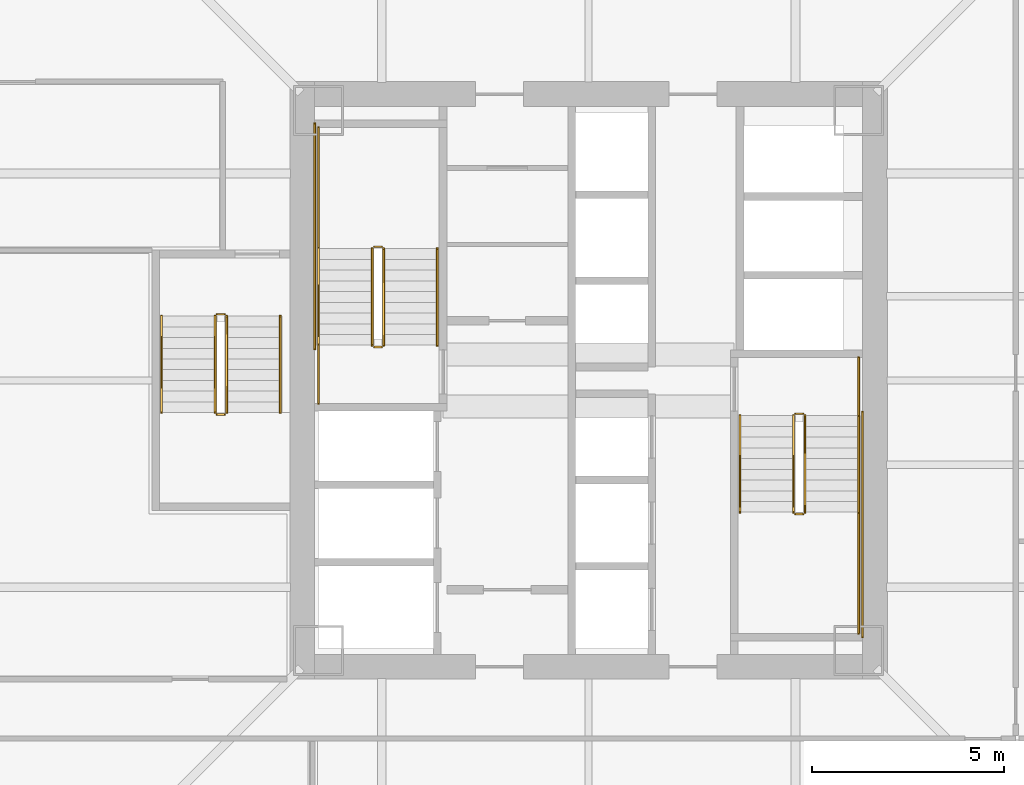
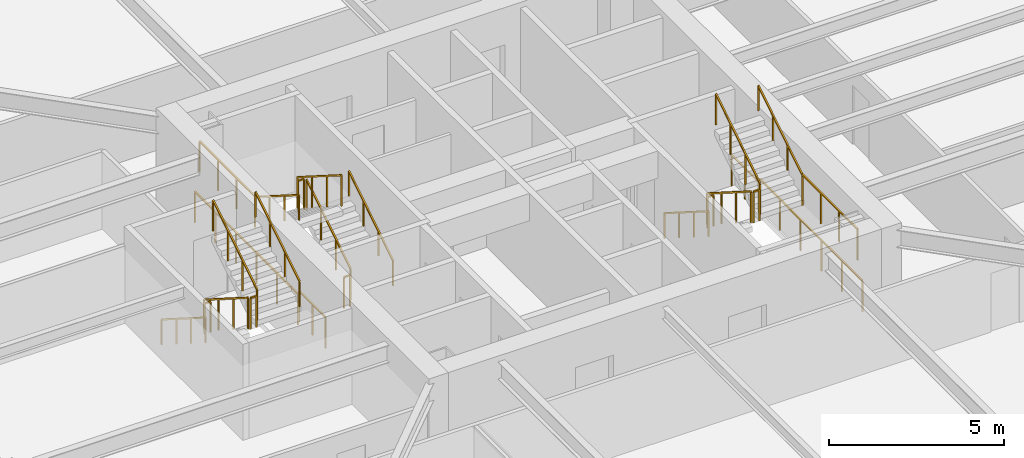
# One storey, part 41 of 46: 24 railings.
"""IFC4 building model written with IfcOpenShell, lengths in metres."""

from ifc_helpers import new_model, si_unit, direction, frame, origin, origin_2d, place, context, subcontext, project, spatial, rectangle, extrude, material, type_object, element, save


model = new_model("IFC4")

# Units and contexts
model_context = context("Model", 3, precision=1e-05, world=origin(), true_north=direction((0.0, 1.0)))
body_context = subcontext(model_context, "Body", "Model", "MODEL_VIEW")
ifc_project = project(units=[si_unit("LENGTHUNIT", "METRE"), si_unit("AREAUNIT", "SQUARE_METRE"), si_unit("VOLUMEUNIT", "CUBIC_METRE"), si_unit("PLANEANGLEUNIT", "RADIAN"), si_unit("MASSUNIT", "GRAM", prefix="KILO")], contexts=[model_context])

# Site, building, storey
site_placement = place(None, origin())
site = spatial("IfcSite", under=ifc_project, at=site_placement, CompositionType="ELEMENT")
building_placement = place(site_placement, origin())
building = spatial("IfcBuilding", under=site, at=building_placement, Name="Tashvorn Skyway Center", CompositionType="ELEMENT")
storey_placement = place(building_placement, frame((0.0, 0.0, 99.14990234375)))
storey = spatial("IfcBuildingStorey", under=building, at=storey_placement, Name="L26", CompositionType="ELEMENT", Elevation=99.14990234375)

# Railings
ifc_material_1 = material(Name="Brushed stainless steel 316", Category="steel")
railing_type_1 = type_object("IfcRailingType", Name="RAIL-HAND-920", PredefinedType="HANDRAIL", material=ifc_material_1)
railing_1_placement = place(storey_placement, frame((38.050048828125, 32.919921875, 0.177490234375)))
element("IfcRailing", 1, at=railing_1_placement, inside=storey, type_object=railing_type_1, Name="L26 ST-T1-1 stair handrail 1", PredefinedType="HANDRAIL", context=body_context, shape_type="SweptSolid", body=[
    extrude(rectangle(XDim=0.048095703125, YDim=0.048095703125, at=origin_2d()), frame((0.0, 0.0, 0.8759765625), z_axis=(0.0, 0.84456994832, 0.535445237532), x_axis=(-1.0, 0.0, 0.0)), (0.0, 0.0, 1.0), 2.98388671875),
    extrude(rectangle(XDim=0.0419921875, YDim=0.0419921875, at=origin_2d()), origin(), (0.0, 0.0, 1.0), 0.851806640625),
    extrude(rectangle(XDim=0.0419921875, YDim=0.0419921875, at=origin_2d()), frame((0.0, 0.840087890625, 0.532470703125)), (0.0, 0.0, 1.0), 0.851806640625),
    extrude(rectangle(XDim=0.0419921875, YDim=0.0419921875, at=origin_2d()), frame((0.0, 1.679931640625, 1.065185546875)), (0.0, 0.0, 1.0), 0.851806640625),
    extrude(rectangle(XDim=0.0419921875, YDim=0.0419921875, at=origin_2d()), frame((0.0, 2.52001953125, 1.59765625)), (0.0, 0.0, 1.0), 0.851806640625),
])
railing_2_placement = place(storey_placement, frame((34.949951171875, 35.43994140625, 1.95263671875)))
element("IfcRailing", 2, at=railing_2_placement, inside=storey, type_object=railing_type_1, Name="L26 ST-T1-1 stair handrail 2", PredefinedType="HANDRAIL", context=body_context, shape_type="SweptSolid", body=[
    extrude(rectangle(XDim=0.048095703125, YDim=0.048095703125, at=origin_2d()), frame((0.0, 0.0, 0.8759765625), z_axis=(0.0, -0.84460694969, 0.535386869969), x_axis=(1.0, 0.0, 0.0)), (0.0, 0.0, 1.0), 2.983642578125),
    extrude(rectangle(XDim=0.0419921875, YDim=0.0419921875, at=origin_2d()), origin(), (0.0, 0.0, 1.0), 0.851806640625),
    extrude(rectangle(XDim=0.0419921875, YDim=0.0419921875, at=origin_2d()), frame((0.0, -0.840087890625, 0.532470703125)), (0.0, 0.0, 1.0), 0.851806640625),
    extrude(rectangle(XDim=0.0419921875, YDim=0.0419921875, at=origin_2d()), frame((0.0, -1.679931640625, 1.06494140625)), (0.0, 0.0, 1.0), 0.851806640625),
    extrude(rectangle(XDim=0.0419921875, YDim=0.0419921875, at=origin_2d()), frame((0.0, -2.52001953125, 1.597412109375)), (0.0, 0.0, 1.0), 0.851806640625),
])
railing_3_placement = place(storey_placement, frame((45.949951171875, 31.080078125, 0.177490234375)))
element("IfcRailing", 3, at=railing_3_placement, inside=storey, type_object=railing_type_1, Name="L26 ST-T1-2 stair handrail 1", PredefinedType="HANDRAIL", context=body_context, shape_type="SweptSolid", body=[
    extrude(rectangle(XDim=0.048095703125, YDim=0.048095703125, at=origin_2d()), frame((0.0, 0.0, 0.8759765625), z_axis=(0.0, -0.84456994832, 0.535445237532), x_axis=(1.0, 0.0, 0.0)), (0.0, 0.0, 1.0), 2.98388671875),
    extrude(rectangle(XDim=0.0419921875, YDim=0.0419921875, at=origin_2d()), origin(), (0.0, 0.0, 1.0), 0.851806640625),
    extrude(rectangle(XDim=0.0419921875, YDim=0.0419921875, at=origin_2d()), frame((0.0, -0.840087890625, 0.532470703125)), (0.0, 0.0, 1.0), 0.851806640625),
    extrude(rectangle(XDim=0.0419921875, YDim=0.0419921875, at=origin_2d()), frame((0.0, -1.679931640625, 1.065185546875)), (0.0, 0.0, 1.0), 0.851806640625),
    extrude(rectangle(XDim=0.0419921875, YDim=0.0419921875, at=origin_2d()), frame((0.0, -2.52001953125, 1.59765625)), (0.0, 0.0, 1.0), 0.851806640625),
])
railing_4_placement = place(storey_placement, frame((49.050048828125, 28.56005859375, 1.95263671875)))
element("IfcRailing", 4, at=railing_4_placement, inside=storey, type_object=railing_type_1, Name="L26 ST-T1-2 stair handrail 2", PredefinedType="HANDRAIL", context=body_context, shape_type="SweptSolid", body=[
    extrude(rectangle(XDim=0.048095703125, YDim=0.048095703125, at=origin_2d()), frame((0.0, 0.0, 0.8759765625), z_axis=(0.0, 0.84460694969, 0.535386869969), x_axis=(-1.0, 0.0, 0.0)), (0.0, 0.0, 1.0), 2.983642578125),
    extrude(rectangle(XDim=0.0419921875, YDim=0.0419921875, at=origin_2d()), origin(), (0.0, 0.0, 1.0), 0.851806640625),
    extrude(rectangle(XDim=0.0419921875, YDim=0.0419921875, at=origin_2d()), frame((0.0, 0.840087890625, 0.532470703125)), (0.0, 0.0, 1.0), 0.851806640625),
    extrude(rectangle(XDim=0.0419921875, YDim=0.0419921875, at=origin_2d()), frame((0.0, 1.679931640625, 1.06494140625)), (0.0, 0.0, 1.0), 0.851806640625),
    extrude(rectangle(XDim=0.0419921875, YDim=0.0419921875, at=origin_2d()), frame((0.0, 2.52001953125, 1.597412109375)), (0.0, 0.0, 1.0), 0.851806640625),
])
railing_5_placement = place(storey_placement, frame((30.85009765625, 33.679931640625, 0.177490234375)))
element("IfcRailing", 5, at=railing_5_placement, inside=storey, type_object=railing_type_1, Name="L26 ST-T1-3 stair handrail 1", PredefinedType="HANDRAIL", context=body_context, shape_type="SweptSolid", body=[
    extrude(rectangle(XDim=0.048095703125, YDim=0.048095703125, at=origin_2d()), frame((0.0, 0.0, 0.8759765625), z_axis=(0.0, -0.84456994832, 0.535445237532), x_axis=(1.0, 0.0, 0.0)), (0.0, 0.0, 1.0), 2.98388671875),
    extrude(rectangle(XDim=0.0419921875, YDim=0.0419921875, at=origin_2d()), origin(), (0.0, 0.0, 1.0), 0.851806640625),
    extrude(rectangle(XDim=0.0419921875, YDim=0.0419921875, at=origin_2d()), frame((0.0, -0.840087890625, 0.532470703125)), (0.0, 0.0, 1.0), 0.851806640625),
    extrude(rectangle(XDim=0.0419921875, YDim=0.0419921875, at=origin_2d()), frame((0.0, -1.679931640625, 1.065185546875)), (0.0, 0.0, 1.0), 0.851806640625),
    extrude(rectangle(XDim=0.0419921875, YDim=0.0419921875, at=origin_2d()), frame((0.0, -2.52001953125, 1.59765625)), (0.0, 0.0, 1.0), 0.851806640625),
])
railing_6_placement = place(storey_placement, frame((33.949951171875, 31.159912109375, 1.95263671875)))
element("IfcRailing", 6, at=railing_6_placement, inside=storey, type_object=railing_type_1, Name="L26 ST-T1-3 stair handrail 2", PredefinedType="HANDRAIL", context=body_context, shape_type="SweptSolid", body=[
    extrude(rectangle(XDim=0.048095703125, YDim=0.048095703125, at=origin_2d()), frame((0.0, 0.0, 0.8759765625), z_axis=(0.0, 0.84460694969, 0.535386869969), x_axis=(-1.0, 0.0, 0.0)), (0.0, 0.0, 1.0), 2.983642578125),
    extrude(rectangle(XDim=0.0419921875, YDim=0.0419921875, at=origin_2d()), origin(), (0.0, 0.0, 1.0), 0.851806640625),
    extrude(rectangle(XDim=0.0419921875, YDim=0.0419921875, at=origin_2d()), frame((0.0, 0.840087890625, 0.532470703125)), (0.0, 0.0, 1.0), 0.851806640625),
    extrude(rectangle(XDim=0.0419921875, YDim=0.0419921875, at=origin_2d()), frame((0.0, 1.679931640625, 1.06494140625)), (0.0, 0.0, 1.0), 0.851806640625),
    extrude(rectangle(XDim=0.0419921875, YDim=0.0419921875, at=origin_2d()), frame((0.0, 2.52001953125, 1.597412109375)), (0.0, 0.0, 1.0), 0.851806640625),
])
ifc_material_2 = material(Name="Painted galvanized steel S355", Category="steel")
railing_type_2 = type_object("IfcRailingType", Name="RAIL-STGUARD-1100", PredefinedType="GUARDRAIL", material=ifc_material_2)
railing_7_placement = place(storey_placement, frame((36.64990234375, 32.919921875, 0.177490234375)))
element("IfcRailing", 7, at=railing_7_placement, inside=storey, type_object=railing_type_2, Name="L26 ST-T1-1 stair guard 1", PredefinedType="GUARDRAIL", context=body_context, shape_type="SweptSolid", body=[
    extrude(rectangle(XDim=0.048095703125, YDim=0.048095703125, at=origin_2d()), frame((0.0, 0.0, 1.076171875), z_axis=(0.0, 0.84456994832, 0.535445237532), x_axis=(-1.0, 0.0, 0.0)), (0.0, 0.0, 1.0), 2.98388671875),
    extrude(rectangle(XDim=0.0419921875, YDim=0.0419921875, at=origin_2d()), origin(), (0.0, 0.0, 1.0), 1.052001953125),
    extrude(rectangle(XDim=0.0419921875, YDim=0.0419921875, at=origin_2d()), frame((0.0, 0.840087890625, 0.532470703125)), (0.0, 0.0, 1.0), 1.052001953125),
    extrude(rectangle(XDim=0.0419921875, YDim=0.0419921875, at=origin_2d()), frame((0.0, 1.679931640625, 1.065185546875)), (0.0, 0.0, 1.0), 1.052001953125),
    extrude(rectangle(XDim=0.0419921875, YDim=0.0419921875, at=origin_2d()), frame((0.0, 2.52001953125, 1.59765625)), (0.0, 0.0, 1.0), 1.052001953125),
])
railing_8_placement = place(storey_placement, frame((36.60009765625, 35.489990234375, 1.775146484375)))
element("IfcRailing", 8, at=railing_8_placement, inside=storey, type_object=railing_type_2, Name="L26 ST-T1-1 stair guard 2", PredefinedType="GUARDRAIL", context=body_context, shape_type="SweptSolid", body=[
    extrude(rectangle(XDim=0.048095703125, YDim=0.048095703125, at=origin_2d()), frame((0.0, 0.0, 1.076171875), z_axis=(-1.0, 0.0, 0.0), x_axis=(0.0, -1.0, 0.0)), (0.0, 0.0, 1.0), 0.2001953125),
    extrude(rectangle(XDim=0.0419921875, YDim=0.0419921875, at=origin_2d()), origin(), (0.0, 0.0, 1.0), 1.052001953125),
    extrude(rectangle(XDim=0.0419921875, YDim=0.0419921875, at=origin_2d()), frame((-0.2001953125, 0.0, 0.0)), (0.0, 0.0, 1.0), 1.052001953125),
])
railing_9_placement = place(storey_placement, frame((34.949951171875, 35.43994140625, 1.775146484375)))
element("IfcRailing", 9, at=railing_9_placement, inside=storey, type_object=railing_type_2, Name="L26 ST-T1-1 stair guard 3", PredefinedType="GUARDRAIL", context=body_context, shape_type="SweptSolid", body=[
    extrude(rectangle(XDim=0.048095703125, YDim=0.048095703125, at=origin_2d()), frame((0.0, 0.0, 1.076171875), z_axis=(0.0, 1.0, 0.0), x_axis=(-1.0, 0.0, 0.0)), (0.0, 0.0, 1.0), 3.16015625),
    extrude(rectangle(XDim=0.0419921875, YDim=0.0419921875, at=origin_2d()), origin(), (0.0, 0.0, 1.0), 1.052001953125),
    extrude(rectangle(XDim=0.0419921875, YDim=0.0419921875, at=origin_2d()), frame((0.0, 1.053466796875, 0.0)), (0.0, 0.0, 1.0), 1.052001953125),
    extrude(rectangle(XDim=0.0419921875, YDim=0.0419921875, at=origin_2d()), frame((0.0, 2.106689453125, 0.0)), (0.0, 0.0, 1.0), 1.052001953125),
    extrude(rectangle(XDim=0.0419921875, YDim=0.0419921875, at=origin_2d()), frame((0.0, 3.16015625, 0.0)), (0.0, 0.0, 1.0), 1.052001953125),
])
railing_10_placement = place(storey_placement, frame((36.35009765625, 35.43994140625, 1.95263671875)))
element("IfcRailing", 10, at=railing_10_placement, inside=storey, type_object=railing_type_2, Name="L26 ST-T1-1 stair guard 4", PredefinedType="GUARDRAIL", context=body_context, shape_type="SweptSolid", body=[
    extrude(rectangle(XDim=0.048095703125, YDim=0.048095703125, at=origin_2d()), frame((0.0, 0.0, 1.076171875), z_axis=(0.0, -0.84460694969, 0.535386869969), x_axis=(1.0, 0.0, 0.0)), (0.0, 0.0, 1.0), 2.983642578125),
    extrude(rectangle(XDim=0.0419921875, YDim=0.0419921875, at=origin_2d()), origin(), (0.0, 0.0, 1.0), 1.052001953125),
    extrude(rectangle(XDim=0.0419921875, YDim=0.0419921875, at=origin_2d()), frame((0.0, -0.840087890625, 0.532470703125)), (0.0, 0.0, 1.0), 1.052001953125),
    extrude(rectangle(XDim=0.0419921875, YDim=0.0419921875, at=origin_2d()), frame((0.0, -1.679931640625, 1.06494140625)), (0.0, 0.0, 1.0), 1.052001953125),
    extrude(rectangle(XDim=0.0419921875, YDim=0.0419921875, at=origin_2d()), frame((0.0, -2.52001953125, 1.597412109375)), (0.0, 0.0, 1.0), 1.052001953125),
])
railing_11_placement = place(storey_placement, frame((36.60009765625, 32.8701171875, 0.0)))
element("IfcRailing", 11, at=railing_11_placement, inside=storey, type_object=railing_type_2, Name="L26 ST-T1-1 stair guard 5", PredefinedType="GUARDRAIL", context=body_context, shape_type="SweptSolid", body=[
    extrude(rectangle(XDim=0.048095703125, YDim=0.048095703125, at=origin_2d()), frame((0.0, 0.0, 1.076171875), z_axis=(-1.0, 0.0, 0.0), x_axis=(0.0, -1.0, 0.0)), (0.0, 0.0, 1.0), 0.2001953125),
    extrude(rectangle(XDim=0.0419921875, YDim=0.0419921875, at=origin_2d()), origin(), (0.0, 0.0, 1.0), 1.052001953125),
    extrude(rectangle(XDim=0.0419921875, YDim=0.0419921875, at=origin_2d()), frame((-0.2001953125, 0.0, 0.0)), (0.0, 0.0, 1.0), 1.052001953125),
])
railing_12_placement = place(storey_placement, frame((34.949951171875, 31.39990234375, 0.0)))
element("IfcRailing", 12, at=railing_12_placement, inside=storey, type_object=railing_type_2, Name="L26 ST-T1-1 stair guard 6", PredefinedType="GUARDRAIL", context=body_context, shape_type="SweptSolid", body=[
    extrude(rectangle(XDim=0.048095703125, YDim=0.048095703125, at=origin_2d()), frame((0.0, 0.0, 1.076171875), z_axis=(0.0, 1.0, 0.0), x_axis=(-1.0, 0.0, 0.0)), (0.0, 0.0, 1.0), 1.52001953125),
    extrude(rectangle(XDim=0.0419921875, YDim=0.0419921875, at=origin_2d()), origin(), (0.0, 0.0, 1.0), 1.052001953125),
    extrude(rectangle(XDim=0.0419921875, YDim=0.0419921875, at=origin_2d()), frame((0.0, 0.760009765625, 0.0)), (0.0, 0.0, 1.0), 1.052001953125),
    extrude(rectangle(XDim=0.0419921875, YDim=0.0419921875, at=origin_2d()), frame((0.0, 1.52001953125, 0.0)), (0.0, 0.0, 1.0), 1.052001953125),
])
railing_13_placement = place(storey_placement, frame((34.85009765625, 32.820068359375, 0.0)))
element("IfcRailing", 13, at=railing_13_placement, inside=storey, type_object=railing_type_2, Name="L26 ST-T1-1 stair guard 7", PredefinedType="GUARDRAIL", context=body_context, shape_type="SweptSolid", body=[
    extrude(rectangle(XDim=0.048095703125, YDim=0.048095703125, at=origin_2d()), frame((0.0, 0.0, 1.076171875), z_axis=(0.0, 1.0, 0.0), x_axis=(-1.0, 0.0, 0.0)), (0.0, 0.0, 1.0), 5.8798828125),
    extrude(rectangle(XDim=0.0419921875, YDim=0.0419921875, at=origin_2d()), origin(), (0.0, 0.0, 1.0), 1.052001953125),
    extrude(rectangle(XDim=0.0419921875, YDim=0.0419921875, at=origin_2d()), frame((0.0, 1.176025390625, 0.0)), (0.0, 0.0, 1.0), 1.052001953125),
    extrude(rectangle(XDim=0.0419921875, YDim=0.0419921875, at=origin_2d()), frame((0.0, 2.35205078125, 0.0)), (0.0, 0.0, 1.0), 1.052001953125),
    extrude(rectangle(XDim=0.0419921875, YDim=0.0419921875, at=origin_2d()), frame((0.0, 3.52783203125, 0.0)), (0.0, 0.0, 1.0), 1.052001953125),
    extrude(rectangle(XDim=0.0419921875, YDim=0.0419921875, at=origin_2d()), frame((0.0, 4.703857421875, 0.0)), (0.0, 0.0, 1.0), 1.052001953125),
    extrude(rectangle(XDim=0.0419921875, YDim=0.0419921875, at=origin_2d()), frame((0.0, 5.8798828125, 0.0)), (0.0, 0.0, 1.0), 1.052001953125),
])
railing_14_placement = place(storey_placement, frame((47.35009765625, 31.080078125, 0.177490234375)))
element("IfcRailing", 14, at=railing_14_placement, inside=storey, type_object=railing_type_2, Name="L26 ST-T1-2 stair guard 1", PredefinedType="GUARDRAIL", context=body_context, shape_type="SweptSolid", body=[
    extrude(rectangle(XDim=0.048095703125, YDim=0.048095703125, at=origin_2d()), frame((0.0, 0.0, 1.076171875), z_axis=(0.0, -0.84456994832, 0.535445237532), x_axis=(1.0, 0.0, 0.0)), (0.0, 0.0, 1.0), 2.98388671875),
    extrude(rectangle(XDim=0.0419921875, YDim=0.0419921875, at=origin_2d()), origin(), (0.0, 0.0, 1.0), 1.052001953125),
    extrude(rectangle(XDim=0.0419921875, YDim=0.0419921875, at=origin_2d()), frame((0.0, -0.840087890625, 0.532470703125)), (0.0, 0.0, 1.0), 1.052001953125),
    extrude(rectangle(XDim=0.0419921875, YDim=0.0419921875, at=origin_2d()), frame((0.0, -1.679931640625, 1.065185546875)), (0.0, 0.0, 1.0), 1.052001953125),
    extrude(rectangle(XDim=0.0419921875, YDim=0.0419921875, at=origin_2d()), frame((0.0, -2.52001953125, 1.59765625)), (0.0, 0.0, 1.0), 1.052001953125),
])
railing_15_placement = place(storey_placement, frame((47.39990234375, 28.510009765625, 1.775146484375)))
element("IfcRailing", 15, at=railing_15_placement, inside=storey, type_object=railing_type_2, Name="L26 ST-T1-2 stair guard 2", PredefinedType="GUARDRAIL", context=body_context, shape_type="SweptSolid", body=[
    extrude(rectangle(XDim=0.048095703125, YDim=0.048095703125, at=origin_2d()), frame((0.0, 0.0, 1.076171875), z_axis=(1.0, 0.0, 0.0), x_axis=(0.0, 1.0, 0.0)), (0.0, 0.0, 1.0), 0.2001953125),
    extrude(rectangle(XDim=0.0419921875, YDim=0.0419921875, at=origin_2d()), origin(), (0.0, 0.0, 1.0), 1.052001953125),
    extrude(rectangle(XDim=0.0419921875, YDim=0.0419921875, at=origin_2d()), frame((0.2001953125, 0.0, 0.0)), (0.0, 0.0, 1.0), 1.052001953125),
])
railing_16_placement = place(storey_placement, frame((49.050048828125, 28.56005859375, 1.775146484375)))
element("IfcRailing", 16, at=railing_16_placement, inside=storey, type_object=railing_type_2, Name="L26 ST-T1-2 stair guard 3", PredefinedType="GUARDRAIL", context=body_context, shape_type="SweptSolid", body=[
    extrude(rectangle(XDim=0.048095703125, YDim=0.048095703125, at=origin_2d()), frame((0.0, 0.0, 1.076171875), z_axis=(0.0, -1.0, 0.0), x_axis=(1.0, 0.0, 0.0)), (0.0, 0.0, 1.0), 3.16015625),
    extrude(rectangle(XDim=0.0419921875, YDim=0.0419921875, at=origin_2d()), origin(), (0.0, 0.0, 1.0), 1.052001953125),
    extrude(rectangle(XDim=0.0419921875, YDim=0.0419921875, at=origin_2d()), frame((0.0, -1.053466796875, 0.0)), (0.0, 0.0, 1.0), 1.052001953125),
    extrude(rectangle(XDim=0.0419921875, YDim=0.0419921875, at=origin_2d()), frame((0.0, -2.106689453125, 0.0)), (0.0, 0.0, 1.0), 1.052001953125),
    extrude(rectangle(XDim=0.0419921875, YDim=0.0419921875, at=origin_2d()), frame((0.0, -3.16015625, 0.0)), (0.0, 0.0, 1.0), 1.052001953125),
])
railing_17_placement = place(storey_placement, frame((47.64990234375, 28.56005859375, 1.95263671875)))
element("IfcRailing", 17, at=railing_17_placement, inside=storey, type_object=railing_type_2, Name="L26 ST-T1-2 stair guard 4", PredefinedType="GUARDRAIL", context=body_context, shape_type="SweptSolid", body=[
    extrude(rectangle(XDim=0.048095703125, YDim=0.048095703125, at=origin_2d()), frame((0.0, 0.0, 1.076171875), z_axis=(0.0, 0.84460694969, 0.535386869969), x_axis=(-1.0, 0.0, 0.0)), (0.0, 0.0, 1.0), 2.983642578125),
    extrude(rectangle(XDim=0.0419921875, YDim=0.0419921875, at=origin_2d()), origin(), (0.0, 0.0, 1.0), 1.052001953125),
    extrude(rectangle(XDim=0.0419921875, YDim=0.0419921875, at=origin_2d()), frame((0.0, 0.840087890625, 0.532470703125)), (0.0, 0.0, 1.0), 1.052001953125),
    extrude(rectangle(XDim=0.0419921875, YDim=0.0419921875, at=origin_2d()), frame((0.0, 1.679931640625, 1.06494140625)), (0.0, 0.0, 1.0), 1.052001953125),
    extrude(rectangle(XDim=0.0419921875, YDim=0.0419921875, at=origin_2d()), frame((0.0, 2.52001953125, 1.597412109375)), (0.0, 0.0, 1.0), 1.052001953125),
])
railing_18_placement = place(storey_placement, frame((47.39990234375, 31.1298828125, 0.0)))
element("IfcRailing", 18, at=railing_18_placement, inside=storey, type_object=railing_type_2, Name="L26 ST-T1-2 stair guard 5", PredefinedType="GUARDRAIL", context=body_context, shape_type="SweptSolid", body=[
    extrude(rectangle(XDim=0.048095703125, YDim=0.048095703125, at=origin_2d()), frame((0.0, 0.0, 1.076171875), z_axis=(1.0, 0.0, 0.0), x_axis=(0.0, 1.0, 0.0)), (0.0, 0.0, 1.0), 0.2001953125),
    extrude(rectangle(XDim=0.0419921875, YDim=0.0419921875, at=origin_2d()), origin(), (0.0, 0.0, 1.0), 1.052001953125),
    extrude(rectangle(XDim=0.0419921875, YDim=0.0419921875, at=origin_2d()), frame((0.2001953125, 0.0, 0.0)), (0.0, 0.0, 1.0), 1.052001953125),
])
railing_19_placement = place(storey_placement, frame((49.050048828125, 32.60009765625, 0.0)))
element("IfcRailing", 19, at=railing_19_placement, inside=storey, type_object=railing_type_2, Name="L26 ST-T1-2 stair guard 6", PredefinedType="GUARDRAIL", context=body_context, shape_type="SweptSolid", body=[
    extrude(rectangle(XDim=0.048095703125, YDim=0.048095703125, at=origin_2d()), frame((0.0, 0.0, 1.076171875), z_axis=(0.0, -1.0, 0.0), x_axis=(1.0, 0.0, 0.0)), (0.0, 0.0, 1.0), 1.52001953125),
    extrude(rectangle(XDim=0.0419921875, YDim=0.0419921875, at=origin_2d()), origin(), (0.0, 0.0, 1.0), 1.052001953125),
    extrude(rectangle(XDim=0.0419921875, YDim=0.0419921875, at=origin_2d()), frame((0.0, -0.760009765625, 0.0)), (0.0, 0.0, 1.0), 1.052001953125),
    extrude(rectangle(XDim=0.0419921875, YDim=0.0419921875, at=origin_2d()), frame((0.0, -1.52001953125, 0.0)), (0.0, 0.0, 1.0), 1.052001953125),
])
railing_20_placement = place(storey_placement, frame((49.14990234375, 31.179931640625, 0.0)))
element("IfcRailing", 20, at=railing_20_placement, inside=storey, type_object=railing_type_2, Name="L26 ST-T1-2 stair guard 7", PredefinedType="GUARDRAIL", context=body_context, shape_type="SweptSolid", body=[
    extrude(rectangle(XDim=0.048095703125, YDim=0.048095703125, at=origin_2d()), frame((0.0, 0.0, 1.076171875), z_axis=(0.0, -1.0, 0.0), x_axis=(1.0, 0.0, 0.0)), (0.0, 0.0, 1.0), 5.8798828125),
    extrude(rectangle(XDim=0.0419921875, YDim=0.0419921875, at=origin_2d()), origin(), (0.0, 0.0, 1.0), 1.052001953125),
    extrude(rectangle(XDim=0.0419921875, YDim=0.0419921875, at=origin_2d()), frame((0.0, -1.176025390625, 0.0)), (0.0, 0.0, 1.0), 1.052001953125),
    extrude(rectangle(XDim=0.0419921875, YDim=0.0419921875, at=origin_2d()), frame((0.0, -2.35205078125, 0.0)), (0.0, 0.0, 1.0), 1.052001953125),
    extrude(rectangle(XDim=0.0419921875, YDim=0.0419921875, at=origin_2d()), frame((0.0, -3.52783203125, 0.0)), (0.0, 0.0, 1.0), 1.052001953125),
    extrude(rectangle(XDim=0.0419921875, YDim=0.0419921875, at=origin_2d()), frame((0.0, -4.703857421875, 0.0)), (0.0, 0.0, 1.0), 1.052001953125),
    extrude(rectangle(XDim=0.0419921875, YDim=0.0419921875, at=origin_2d()), frame((0.0, -5.8798828125, 0.0)), (0.0, 0.0, 1.0), 1.052001953125),
])
railing_21_placement = place(storey_placement, frame((32.25, 33.679931640625, 0.177490234375)))
element("IfcRailing", 21, at=railing_21_placement, inside=storey, type_object=railing_type_2, Name="L26 ST-T1-3 stair guard 1", PredefinedType="GUARDRAIL", context=body_context, shape_type="SweptSolid", body=[
    extrude(rectangle(XDim=0.048095703125, YDim=0.048095703125, at=origin_2d()), frame((0.0, 0.0, 1.076171875), z_axis=(0.0, -0.84456994832, 0.535445237532), x_axis=(1.0, 0.0, 0.0)), (0.0, 0.0, 1.0), 2.98388671875),
    extrude(rectangle(XDim=0.0419921875, YDim=0.0419921875, at=origin_2d()), origin(), (0.0, 0.0, 1.0), 1.052001953125),
    extrude(rectangle(XDim=0.0419921875, YDim=0.0419921875, at=origin_2d()), frame((0.0, -0.840087890625, 0.532470703125)), (0.0, 0.0, 1.0), 1.052001953125),
    extrude(rectangle(XDim=0.0419921875, YDim=0.0419921875, at=origin_2d()), frame((0.0, -1.679931640625, 1.065185546875)), (0.0, 0.0, 1.0), 1.052001953125),
    extrude(rectangle(XDim=0.0419921875, YDim=0.0419921875, at=origin_2d()), frame((0.0, -2.52001953125, 1.59765625)), (0.0, 0.0, 1.0), 1.052001953125),
])
railing_22_placement = place(storey_placement, frame((32.300048828125, 31.110107421875, 1.775146484375)))
element("IfcRailing", 22, at=railing_22_placement, inside=storey, type_object=railing_type_2, Name="L26 ST-T1-3 stair guard 2", PredefinedType="GUARDRAIL", context=body_context, shape_type="SweptSolid", body=[
    extrude(rectangle(XDim=0.048095703125, YDim=0.048095703125, at=origin_2d()), frame((0.0, 0.0, 1.076171875), z_axis=(1.0, 0.0, 0.0), x_axis=(0.0, 1.0, 0.0)), (0.0, 0.0, 1.0), 0.199951171875),
    extrude(rectangle(XDim=0.0419921875, YDim=0.0419921875, at=origin_2d()), origin(), (0.0, 0.0, 1.0), 1.052001953125),
    extrude(rectangle(XDim=0.0419921875, YDim=0.0419921875, at=origin_2d()), frame((0.199951171875, 0.0, 0.0)), (0.0, 0.0, 1.0), 1.052001953125),
])
railing_23_placement = place(storey_placement, frame((32.550048828125, 31.159912109375, 1.95263671875)))
element("IfcRailing", 23, at=railing_23_placement, inside=storey, type_object=railing_type_2, Name="L26 ST-T1-3 stair guard 3", PredefinedType="GUARDRAIL", context=body_context, shape_type="SweptSolid", body=[
    extrude(rectangle(XDim=0.048095703125, YDim=0.048095703125, at=origin_2d()), frame((0.0, 0.0, 1.076171875), z_axis=(0.0, 0.84460694969, 0.535386869969), x_axis=(-1.0, 0.0, 0.0)), (0.0, 0.0, 1.0), 2.983642578125),
    extrude(rectangle(XDim=0.0419921875, YDim=0.0419921875, at=origin_2d()), origin(), (0.0, 0.0, 1.0), 1.052001953125),
    extrude(rectangle(XDim=0.0419921875, YDim=0.0419921875, at=origin_2d()), frame((0.0, 0.840087890625, 0.532470703125)), (0.0, 0.0, 1.0), 1.052001953125),
    extrude(rectangle(XDim=0.0419921875, YDim=0.0419921875, at=origin_2d()), frame((0.0, 1.679931640625, 1.06494140625)), (0.0, 0.0, 1.0), 1.052001953125),
    extrude(rectangle(XDim=0.0419921875, YDim=0.0419921875, at=origin_2d()), frame((0.0, 2.52001953125, 1.597412109375)), (0.0, 0.0, 1.0), 1.052001953125),
])
railing_24_placement = place(storey_placement, frame((32.300048828125, 33.72998046875, 0.0)))
element("IfcRailing", 24, at=railing_24_placement, inside=storey, type_object=railing_type_2, Name="L26 ST-T1-3 stair guard 4", PredefinedType="GUARDRAIL", context=body_context, shape_type="SweptSolid", body=[
    extrude(rectangle(XDim=0.048095703125, YDim=0.048095703125, at=origin_2d()), frame((0.0, 0.0, 1.076171875), z_axis=(1.0, 0.0, 0.0), x_axis=(0.0, 1.0, 0.0)), (0.0, 0.0, 1.0), 0.199951171875),
    extrude(rectangle(XDim=0.0419921875, YDim=0.0419921875, at=origin_2d()), origin(), (0.0, 0.0, 1.0), 1.052001953125),
    extrude(rectangle(XDim=0.0419921875, YDim=0.0419921875, at=origin_2d()), frame((0.199951171875, 0.0, 0.0)), (0.0, 0.0, 1.0), 1.052001953125),
])

save(model, "model.ifc")
